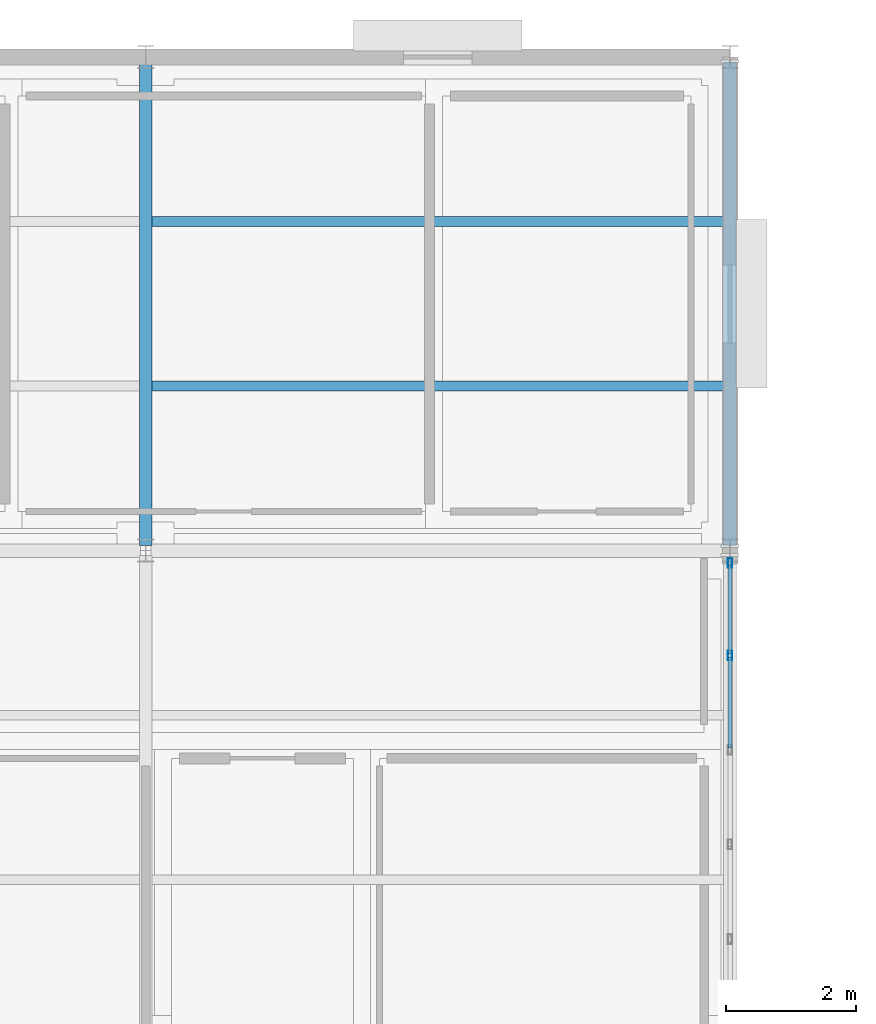
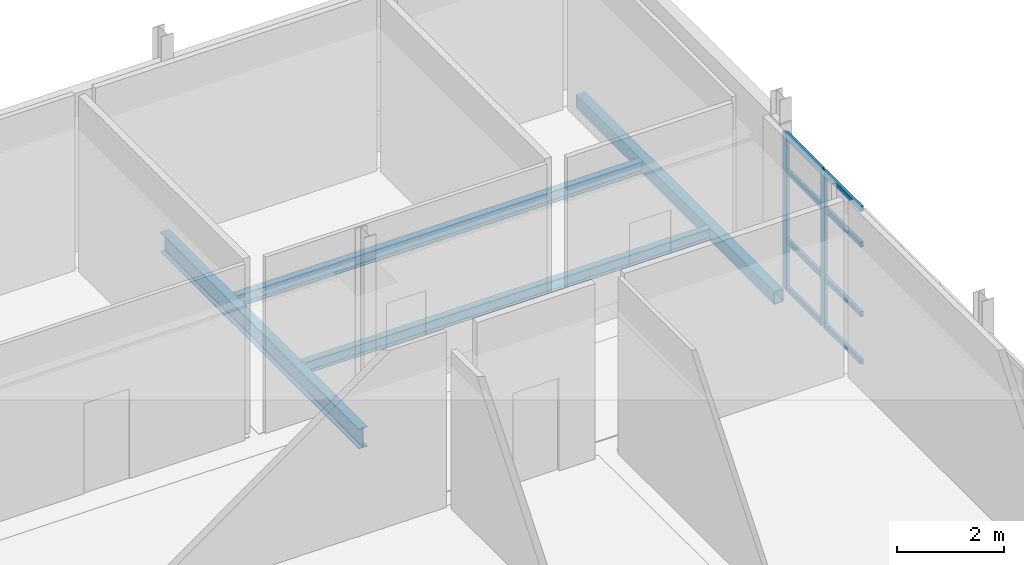
# One storey, part 126 of 174: 10 members, 4 beams, 1 element without a shape of its own.
"""IFC4 building model written with IfcOpenShell, lengths in metres."""

from ifc_helpers import new_model, si_unit, direction, frame, origin, origin_2d, place, context, subcontext, project, spatial, hollow_rectangle, i_section, extrude, material, material_profile, profile_set, type_object, element, aggregate, save


model = new_model("IFC4")

# Units and contexts
model_context = context("Model", 3, precision=1e-05, world=origin(), true_north=direction((0.0, 1.0)))
body_context = subcontext(model_context, "Body", "Model", "MODEL_VIEW")
ifc_project = project(units=[si_unit("LENGTHUNIT", "METRE"), si_unit("AREAUNIT", "SQUARE_METRE"), si_unit("VOLUMEUNIT", "CUBIC_METRE"), si_unit("PLANEANGLEUNIT", "RADIAN"), si_unit("MASSUNIT", "GRAM", prefix="KILO")], contexts=[model_context])

# Site, building, storey
site_placement = place(None, origin())
site = spatial("IfcSite", under=ifc_project, at=site_placement, CompositionType="ELEMENT")
building_placement = place(site_placement, origin())
building = spatial("IfcBuilding", under=site, at=building_placement, Name="Caisbarro Railhouse Central Library", CompositionType="ELEMENT")
storey_placement = place(building_placement, frame((0.0, 0.0, 5.0400390625)))
storey = spatial("IfcBuildingStorey", under=building, at=storey_placement, Name="L01", CompositionType="ELEMENT", Elevation=5.0400390625)

# Beams
ifc_material_1 = material(Name="Steel ASTM A572 Grade 50", Category="steel")
ifc_material_profile_1 = material_profile(ifc_material_1, i_section(OverallWidth=0.18994140625, OverallDepth=0.45703125, WebThickness=0.009033203125, FlangeThickness=0.014404296875, FilletRadius=0.01806640625, at=origin_2d()), Name="W460X74.0")
ifc_profile_set_1 = profile_set([ifc_material_profile_1], Name="Steel ASTM A572 Grade 50")
beam_type_1 = type_object("IfcBeamType", Name="BM-G08", PredefinedType="BEAM", material=ifc_profile_set_1)
beam_1_placement = place(storey_placement, frame((144.0, 106.47998046875, -0.448486328125), z_axis=(0.0, 1.0, 0.0), x_axis=(-1.0, 0.0, 0.0)))
element("IfcBeam", 1, at=beam_1_placement, inside=storey, type_object=beam_type_1, Name="G08 beam L01 #956", PredefinedType="BEAM", context=body_context, shape_type="SweptSolid", body=[
    extrude(i_section(OverallWidth=0.18994140625, OverallDepth=0.45703125, WebThickness=0.009033203125, FlangeThickness=0.014404296875, FilletRadius=0.01806640625, at=origin_2d()), origin(), (0.0, 0.0, 1.0), 7.43994140625),
])
ifc_material_profile_2 = material_profile(ifc_material_1, i_section(OverallWidth=0.14794921875, OverallDepth=0.26611328125, WebThickness=0.007568359375, FlangeThickness=0.012939453125, FilletRadius=0.010009765625, at=origin_2d()), Name="W250X44.8")
ifc_profile_set_2 = profile_set([ifc_material_profile_2], Name="Steel ASTM A572 Grade 50")
beam_type_2 = type_object("IfcBeamType", Name="BM-J04", PredefinedType="JOIST", material=ifc_profile_set_2)
for number, where, z_axis, x_axis, name in (
    (2, (144.094970703125, 108.933349609375, -0.35302734375), (1.0, 0.0, 0.0), (0.0, 1.0, 0.0), "J04 beam L01 #1006"),
    (3, (144.094970703125, 111.466796875, -0.35302734375), (1.0, 0.0, 0.0), (0.0, 1.0, 0.0), "J04 beam L01 #1007"),
):
    element("IfcBeam", number, at=place(storey_placement, frame(where, z_axis=z_axis, x_axis=x_axis)), inside=storey, type_object=beam_type_2, Name=name, PredefinedType="JOIST", context=body_context, shape_type="SweptSolid", body=[
        extrude(i_section(OverallWidth=0.14794921875, OverallDepth=0.26611328125, WebThickness=0.007568359375, FlangeThickness=0.012939453125, FilletRadius=0.010009765625, at=origin_2d()), origin(), (0.0, 0.0, 1.0), 8.804931640625),
    ])
ifc_material_profile_3 = material_profile(ifc_material_1, hollow_rectangle(XDim=0.199951171875, YDim=0.300048828125, WallThickness=0.012451171875, at=origin_2d()), Name="HSS300X200X12.5")
ifc_profile_set_3 = profile_set([ifc_material_profile_3], Name="Steel ASTM A572 Grade 50")
beam_type_3 = type_object("IfcBeamType", Name="BM-SP02", PredefinedType="SPANDREL", material=ifc_profile_set_3)
beam_2_placement = place(storey_placement, frame((153.0, 106.47998046875, -0.3701171875), z_axis=(0.0, 1.0, 0.0), x_axis=(-1.0, 0.0, 0.0)))
element("IfcBeam", 4, at=beam_2_placement, inside=storey, type_object=beam_type_3, Name="SP02 beam L01 #963", PredefinedType="SPANDREL", context=body_context, shape_type="SweptSolid", body=[
    extrude(hollow_rectangle(XDim=0.199951171875, YDim=0.300048828125, WallThickness=0.012451171875, at=origin_2d()), origin(), (0.0, 0.0, 1.0), 7.43994140625),
])

# Curtain wall, members
ifc_material_2 = material(Name="Anodised architectural aluminium", Category="aluminium")
curtain_wall_type = type_object("IfcCurtainWallType", Name="CW-CW03", PredefinedType="NOTDEFINED", material=ifc_material_2)
curtain_wall_placement = place(storey_placement, origin())
curtain_wall = element("IfcCurtainWall", 5, at=curtain_wall_placement, inside=storey, type_object=curtain_wall_type, Name="CW03 curtain wall L01 #125", PredefinedType="NOTDEFINED")
ifc_material_profile_4 = material_profile(ifc_material_2, hollow_rectangle(XDim=0.06494140625, YDim=0.14990234375, WallThickness=0.00390625, at=origin_2d()), Name="ALU-MUL-65X150")
ifc_profile_set_4 = profile_set([ifc_material_profile_4], Name="Anodised architectural aluminium")
member_type_1 = type_object("IfcMemberType", Name="CWM-M02", PredefinedType="MULLION", material=ifc_profile_set_4)
member_1_placement = place(storey_placement, frame((153.0, 104.783935546875, 0.0), z_axis=(0.0, 0.0, 1.0), x_axis=(-1.0, 0.0, 0.0)))
member_1 = element("IfcMember", 6, at=member_1_placement, type_object=member_type_1, Name="CW03 mullion 5", PredefinedType="MULLION", context=body_context, shape_type="SweptSolid", body=[
    extrude(hollow_rectangle(XDim=0.06494140625, YDim=0.14990234375, WallThickness=0.00390625, at=origin_2d()), origin(), (0.0, 0.0, 1.0), 3.56005859375),
])
member_2_placement = place(storey_placement, frame((153.0, 106.20751953125, 0.0), z_axis=(0.0, 0.0, 1.0), x_axis=(-1.0, 0.0, 0.0)))
member_2 = element("IfcMember", 7, at=member_2_placement, type_object=member_type_1, Name="CW03 mullion 6", PredefinedType="MULLION", context=body_context, shape_type="SweptSolid", body=[
    extrude(hollow_rectangle(XDim=0.06494140625, YDim=0.14990234375, WallThickness=0.00390625, at=origin_2d()), origin(), (0.0, 0.0, 1.0), 3.56005859375),
])
ifc_material_profile_5 = material_profile(ifc_material_2, hollow_rectangle(XDim=0.06494140625, YDim=0.1201171875, WallThickness=0.00341796875, at=origin_2d()), Name="ALU-TRN-65X120")
ifc_profile_set_5 = profile_set([ifc_material_profile_5], Name="Anodised architectural aluminium")
member_type_2 = type_object("IfcMemberType", Name="CWT-T02", PredefinedType="USERDEFINED", material=ifc_profile_set_5)
member_3_placement = place(storey_placement, frame((153.0, 103.360595703125, 0.032470703125), z_axis=(0.0, 1.0, 0.0), x_axis=(-1.0, 0.0, 0.0)))
member_3 = element("IfcMember", 8, at=member_3_placement, type_object=member_type_2, Name="CW03 transom 4.1", ObjectType="TRANSOM", PredefinedType="USERDEFINED", context=body_context, shape_type="SweptSolid", body=[
    extrude(hollow_rectangle(XDim=0.06494140625, YDim=0.1201171875, WallThickness=0.00341796875, at=origin_2d()), origin(), (0.0, 0.0, 1.0), 1.390869140625),
])
member_4_placement = place(storey_placement, frame((153.0, 103.360595703125, 1.119873046875), z_axis=(0.0, 1.0, 0.0), x_axis=(-1.0, 0.0, 0.0)))
member_4 = element("IfcMember", 9, at=member_4_placement, type_object=member_type_2, Name="CW03 transom 4.2", ObjectType="TRANSOM", PredefinedType="USERDEFINED", context=body_context, shape_type="SweptSolid", body=[
    extrude(hollow_rectangle(XDim=0.06494140625, YDim=0.1201171875, WallThickness=0.00341796875, at=origin_2d()), origin(), (0.0, 0.0, 1.0), 1.390869140625),
])
member_5_placement = place(storey_placement, frame((153.0, 103.360595703125, 2.7099609375), z_axis=(0.0, 1.0, 0.0), x_axis=(-1.0, 0.0, 0.0)))
member_5 = element("IfcMember", 10, at=member_5_placement, type_object=member_type_2, Name="CW03 transom 4.3", ObjectType="TRANSOM", PredefinedType="USERDEFINED", context=body_context, shape_type="SweptSolid", body=[
    extrude(hollow_rectangle(XDim=0.06494140625, YDim=0.1201171875, WallThickness=0.00341796875, at=origin_2d()), origin(), (0.0, 0.0, 1.0), 1.390869140625),
])
member_6_placement = place(storey_placement, frame((153.0, 103.360595703125, 3.52734375), z_axis=(0.0, 1.0, 0.0), x_axis=(-1.0, 0.0, 0.0)))
member_6 = element("IfcMember", 11, at=member_6_placement, type_object=member_type_2, Name="CW03 transom 4.4", ObjectType="TRANSOM", PredefinedType="USERDEFINED", context=body_context, shape_type="SweptSolid", body=[
    extrude(hollow_rectangle(XDim=0.06494140625, YDim=0.1201171875, WallThickness=0.00341796875, at=origin_2d()), origin(), (0.0, 0.0, 1.0), 1.390869140625),
])
member_7_placement = place(storey_placement, frame((153.0, 104.81640625, 0.032470703125), z_axis=(0.0, 1.0, 0.0), x_axis=(-1.0, 0.0, 0.0)))
member_7 = element("IfcMember", 12, at=member_7_placement, type_object=member_type_2, Name="CW03 transom 5.1", ObjectType="TRANSOM", PredefinedType="USERDEFINED", context=body_context, shape_type="SweptSolid", body=[
    extrude(hollow_rectangle(XDim=0.06494140625, YDim=0.1201171875, WallThickness=0.00341796875, at=origin_2d()), origin(), (0.0, 0.0, 1.0), 1.358642578125),
])
member_8_placement = place(storey_placement, frame((153.0, 104.81640625, 1.119873046875), z_axis=(0.0, 1.0, 0.0), x_axis=(-1.0, 0.0, 0.0)))
member_8 = element("IfcMember", 13, at=member_8_placement, type_object=member_type_2, Name="CW03 transom 5.2", ObjectType="TRANSOM", PredefinedType="USERDEFINED", context=body_context, shape_type="SweptSolid", body=[
    extrude(hollow_rectangle(XDim=0.06494140625, YDim=0.1201171875, WallThickness=0.00341796875, at=origin_2d()), origin(), (0.0, 0.0, 1.0), 1.358642578125),
])
member_9_placement = place(storey_placement, frame((153.0, 104.81640625, 2.7099609375), z_axis=(0.0, 1.0, 0.0), x_axis=(-1.0, 0.0, 0.0)))
member_9 = element("IfcMember", 14, at=member_9_placement, type_object=member_type_2, Name="CW03 transom 5.3", ObjectType="TRANSOM", PredefinedType="USERDEFINED", context=body_context, shape_type="SweptSolid", body=[
    extrude(hollow_rectangle(XDim=0.06494140625, YDim=0.1201171875, WallThickness=0.00341796875, at=origin_2d()), origin(), (0.0, 0.0, 1.0), 1.358642578125),
])
member_10_placement = place(storey_placement, frame((153.0, 104.81640625, 3.52734375), z_axis=(0.0, 1.0, 0.0), x_axis=(-1.0, 0.0, 0.0)))
member_10 = element("IfcMember", 15, at=member_10_placement, type_object=member_type_2, Name="CW03 transom 5.4", ObjectType="TRANSOM", PredefinedType="USERDEFINED", context=body_context, shape_type="SweptSolid", body=[
    extrude(hollow_rectangle(XDim=0.06494140625, YDim=0.1201171875, WallThickness=0.00341796875, at=origin_2d()), origin(), (0.0, 0.0, 1.0), 1.358642578125),
])
aggregate(curtain_wall, [member_1, member_2, member_3, member_4, member_5, member_6, member_7, member_8, member_9, member_10])

save(model, "model.ifc")
